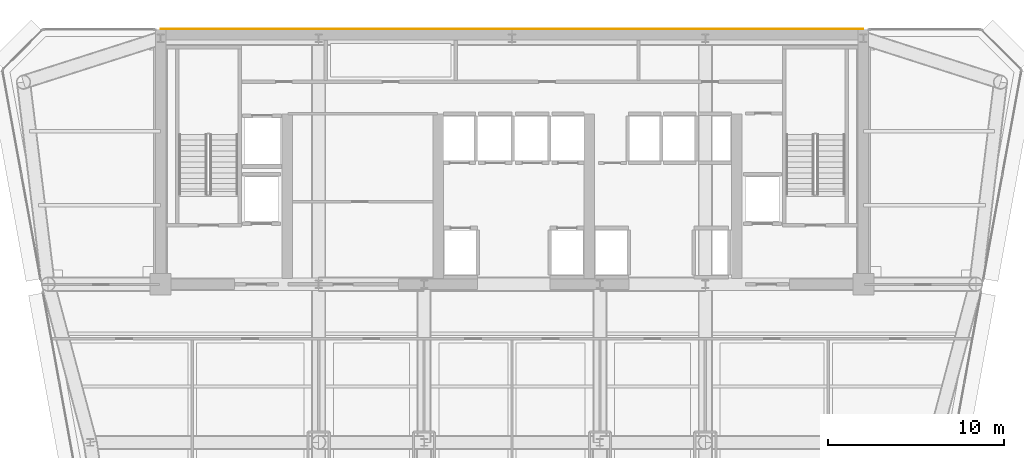
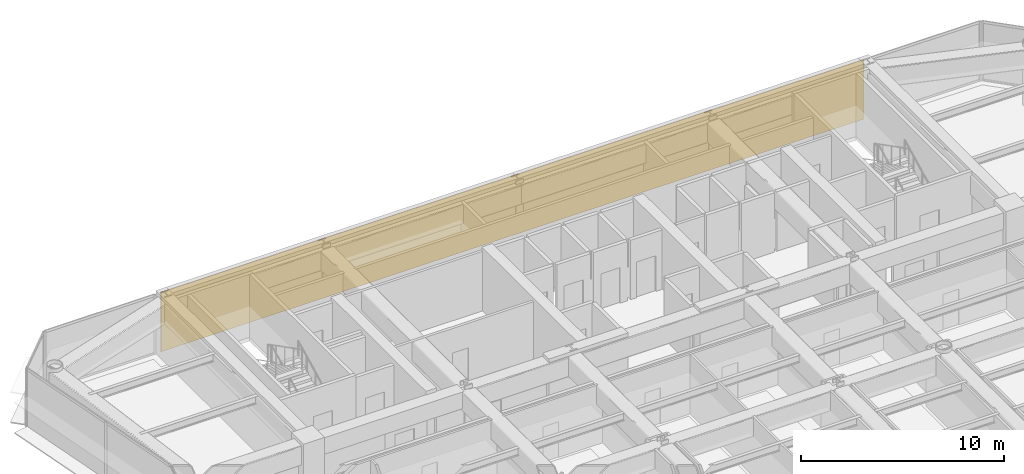
# One storey, part 16 of 17: 1 covering.
"""IFC4 building model written with IfcOpenShell, lengths in metres."""

import ifcopenshell
import ifcopenshell.guid

model = None  # the IFC model being written
_history = None  # IfcOwnerHistory: only IFC2X3 demands one
_inside = {}  # id of a spatial element -> (the spatial element, [elements in it])
_under = {}  # id of a project, library or spatial element -> (it, [spatial elements below it])
_declared = {}  # id of a project -> (the project, [libraries it declares])
_typed = {}  # id of a type object -> (the type object, [elements of that type])
_made_of = {}  # id of a material, layer set ... -> (it, [elements and type objects made of it])


def new_model(schema):
    """Start an empty IFC model of exactly this schema.

    Asked for "IFC4X3", IfcOpenShell would pick the latest addendum, in which some entities
    have other attributes; the version numbers below select the first issue.
    IFC2X3 requires an IfcOwnerHistory on every rooted entity: one is made here for all.
    """
    global model, _history
    if schema == "IFC4X3":
        model = ifcopenshell.file(schema_version=(4, 3, 0, 0))
    else:
        model = ifcopenshell.file(schema=schema)
    _inside.clear()
    _under.clear()
    _declared.clear()
    _typed.clear()
    _made_of.clear()
    _history = None
    if model.schema == "IFC2X3":
        org = make("IfcOrganization", Name="unknown")
        user = make(
            "IfcPersonAndOrganization",
            ThePerson=make("IfcPerson", FamilyName="unknown"),
            TheOrganization=org,
        )
        app = make(
            "IfcApplication",
            ApplicationDeveloper=org,
            Version="unknown",
            ApplicationFullName="unknown",
            ApplicationIdentifier="unknown",
        )
        _history = make(
            "IfcOwnerHistory",
            OwningUser=user,
            OwningApplication=app,
            ChangeAction="ADDED",
            CreationDate=0,
        )
    return model


def make(cls, **values):
    """One entity of the class cls with the attributes given. An attribute that is None is left unset."""
    return model.create_entity(
        cls, **{name: value for name, value in values.items() if value is not None}
    )


def rooted(cls, **values):
    """An entity with a GlobalId (a new one), such as an element, a storey or a relation."""
    return make(cls, GlobalId=ifcopenshell.guid.new(), OwnerHistory=_history, **values)


def si_unit(unit_type, name, prefix=None):
    """IfcSIUnit, for example si_unit("LENGTHUNIT", "METRE", prefix="MILLI")."""
    return make("IfcSIUnit", UnitType=unit_type, Prefix=prefix, Name=name)


def assignment(units):
    """IfcUnitAssignment: the units of a project."""
    return None if units is None else make("IfcUnitAssignment", Units=units)


def point(xyz):
    """IfcCartesianPoint."""
    return None if xyz is None else make("IfcCartesianPoint", Coordinates=xyz)


def direction(xyz):
    """IfcDirection."""
    return None if xyz is None else make("IfcDirection", DirectionRatios=xyz)


def frame(location, z_axis=None, x_axis=None):
    """IfcAxis2Placement3D, a coordinate frame: its origin and axes. An axis left out is left unset."""
    return make(
        "IfcAxis2Placement3D",
        Location=point(location),
        Axis=direction(z_axis),
        RefDirection=direction(x_axis),
    )


def origin():
    """The frame at (0, 0, 0) with its axes left unset."""
    return frame((0.0, 0.0, 0.0))


def place(relative_to, where):
    """IfcLocalPlacement: puts the frame where relative to a parent placement (None: the world)."""
    return make(
        "IfcLocalPlacement", PlacementRelTo=relative_to, RelativePlacement=where
    )


def context(
    kind, dimensions, precision=None, world=None, true_north=None, identifier=None
):
    """IfcGeometricRepresentationContext, for example the 3D "Model" context."""
    return make(
        "IfcGeometricRepresentationContext",
        ContextIdentifier=identifier,
        ContextType=kind,
        CoordinateSpaceDimension=dimensions,
        Precision=precision,
        WorldCoordinateSystem=world,
        TrueNorth=true_north,
    )


def subcontext(parent, identifier, kind, view, scale=None):
    """IfcGeometricRepresentationSubContext, for example "Body" below "Model"."""
    return make(
        "IfcGeometricRepresentationSubContext",
        ContextIdentifier=identifier,
        ContextType=kind,
        ParentContext=parent,
        TargetScale=scale,
        TargetView=view,
    )


def project(units=None, contexts=None):
    """IfcProject with its units and contexts."""
    return rooted(
        "IfcProject",
        Name="project",
        RepresentationContexts=contexts,
        UnitsInContext=assignment(units),
    )


def spatial(cls, under=None, at=None, **own):
    """A site, building, storey or space (cls), placed at a placement, below another one or the project."""
    s = rooted(cls, ObjectPlacement=at, **own)
    if under is not None:
        _under.setdefault(under.id(), (under, []))[1].append(s)
    return s


def polyline(points):
    """IfcPolyline through the points."""
    return make("IfcPolyline", Points=[point(p) for p in points])


def outline(outer, holes=None, kind="AREA"):
    """IfcArbitraryClosedProfileDef: a profile drawn as a closed curve; with holes, ...WithVoids."""
    if holes is None:
        return make("IfcArbitraryClosedProfileDef", ProfileType=kind, OuterCurve=outer)
    return make(
        "IfcArbitraryProfileDefWithVoids",
        ProfileType=kind,
        OuterCurve=outer,
        InnerCurves=holes,
    )


def extrude(swept, where, along, depth):
    """IfcExtrudedAreaSolid: the profile swept, set in the frame where, extruded along a direction by depth."""
    return make(
        "IfcExtrudedAreaSolid",
        SweptArea=swept,
        Position=where,
        ExtrudedDirection=direction(along),
        Depth=depth,
    )


def shape(context_of_items, identifier, shape_type, items):
    """IfcShapeRepresentation: the items that make up one representation, for example the "Body"."""
    return make(
        "IfcShapeRepresentation",
        ContextOfItems=context_of_items,
        RepresentationIdentifier=identifier,
        RepresentationType=shape_type,
        Items=items,
    )


def material(Name=None, Category=None):
    """IfcMaterial."""
    return make("IfcMaterial", Name=Name, Category=Category)


def layer(
    of_material, thickness, ventilated=None, Name=None, Category=None, Priority=None
):
    """IfcMaterialLayer: one layer of a wall or slab, of a material (None: an air gap)."""
    return make(
        "IfcMaterialLayer",
        Material=of_material,
        LayerThickness=thickness,
        IsVentilated=ventilated,
        Name=Name,
        Category=Category,
        Priority=Priority,
    )


def layer_set(layers, Name=None):
    """IfcMaterialLayerSet."""
    return make("IfcMaterialLayerSet", MaterialLayers=layers, LayerSetName=Name)


def made_of(thing, what):
    """Note that an element or type object is made of a material, layer set ...; save() writes the relation."""
    if what is not None:
        _made_of.setdefault(what.id(), (what, []))[1].append(thing)
    return thing


def type_object(cls, material=None, **own):
    """A type object (cls), such as IfcWallType, which elements share."""
    return made_of(rooted(cls, **own), material)


def element(
    cls,
    number,
    at=None,
    inside=None,
    cuts=None,
    type_object=None,
    material=None,
    context=None,
    identifier="Body",
    shape_type=None,
    held_by="IfcProductDefinitionShape",
    body=None,
    shapes=None,
    **own,
):
    """One element of the class cls, such as IfcWall. Its Tag is "e" and its number.

    at: its placement. inside: the storey or other place that contains it. cuts: it is an
    opening in that element (IfcRelVoidsElement). A single representation is given by context,
    identifier, shape_type and body (its items); several are given by shapes. held_by: the class
    of the entity that holds the representations. save() writes the other relations.
    """
    e = rooted(cls, Tag="e%d" % number, ObjectPlacement=at, **own)
    if body is not None:
        shapes = [shape(context, identifier, shape_type, body)]
    if shapes is not None:
        e.Representation = make(held_by, Representations=shapes)
    if inside is not None:
        _inside.setdefault(inside.id(), (inside, []))[1].append(e)
    if cuts is not None:
        rooted(
            "IfcRelVoidsElement", RelatingBuildingElement=cuts, RelatedOpeningElement=e
        )
    if type_object is not None:
        _typed.setdefault(type_object.id(), (type_object, []))[1].append(e)
    return made_of(e, material)


def aggregate(whole, parts):
    """IfcRelAggregates: a whole, such as a stair, and the parts it consists of."""
    return rooted("IfcRelAggregates", RelatingObject=whole, RelatedObjects=parts)


def save(model, path):
    """Write the relations noted so far, then the file.

    IfcRelAggregates (storeys below a building ...), IfcRelContainedInSpatialStructure (elements
    in a storey), IfcRelDefinesByType, IfcRelAssociatesMaterial and IfcRelDeclares: one each for
    every whole, place, type object, material and project.
    """
    for whole, parts in _under.values():
        aggregate(whole, parts)
    for where, things in _inside.values():
        rooted(
            "IfcRelContainedInSpatialStructure",
            RelatedElements=things,
            RelatingStructure=where,
        )
    for kind, things in _typed.values():
        rooted("IfcRelDefinesByType", RelatedObjects=things, RelatingType=kind)
    for what, things in _made_of.values():
        rooted("IfcRelAssociatesMaterial", RelatedObjects=things, RelatingMaterial=what)
    for by, libraries in _declared.values():
        rooted("IfcRelDeclares", RelatingContext=by, RelatedDefinitions=libraries)
    model.write(path)


model = new_model("IFC4")

# Units and contexts
model_context = context("Model", 3, precision=1e-05, world=origin(), true_north=direction((0.0, 1.0)))
body_context = subcontext(model_context, "Body", "Model", "MODEL_VIEW")
ifc_project = project(units=[si_unit("LENGTHUNIT", "METRE"), si_unit("AREAUNIT", "SQUARE_METRE"), si_unit("VOLUMEUNIT", "CUBIC_METRE"), si_unit("PLANEANGLEUNIT", "RADIAN"), si_unit("MASSUNIT", "GRAM", prefix="KILO")], contexts=[model_context])

# Site, building, storey
site_placement = place(None, origin())
site = spatial("IfcSite", under=ifc_project, at=site_placement, CompositionType="ELEMENT")
building_placement = place(site_placement, origin())
building = spatial("IfcBuilding", under=site, at=building_placement, Name="Vaeldorn Concourse Tower", CompositionType="ELEMENT")
storey_placement = place(building_placement, frame((0.0, 0.0, 176.60009765625)))
storey = spatial("IfcBuildingStorey", under=building, at=storey_placement, Name="L45", CompositionType="ELEMENT", Elevation=176.60009765625)

# Covering
ifc_material = material(Name="Anodised Bronze Aluminium", Category="aluminium")
ifc_layer = layer(ifc_material, 0.050048828125)
ifc_layer_set = layer_set([ifc_layer], Name="Anodised Bronze Aluminium")
covering_type = type_object("IfcCoveringType", Name="COV-CLAD-BRONZE", PredefinedType="CLADDING", material=ifc_layer_set)
covering_placement = place(storey_placement, origin())
element("IfcCovering", 1, at=covering_placement, inside=storey, type_object=covering_type, Name="Rear Core Bronze Spandrel Cladding L45", PredefinedType="CLADDING", context=body_context, shape_type="SweptSolid", body=[
    extrude(outline(polyline([(14.0, 51.0), (54.0, 51.0), (54.0, 51.050048828125), (14.0, 51.050048828125), (14.0, 51.0)])), origin(), (0.0, 0.0, 1.0), 3.579833984375),
])

save(model, "model.ifc")
